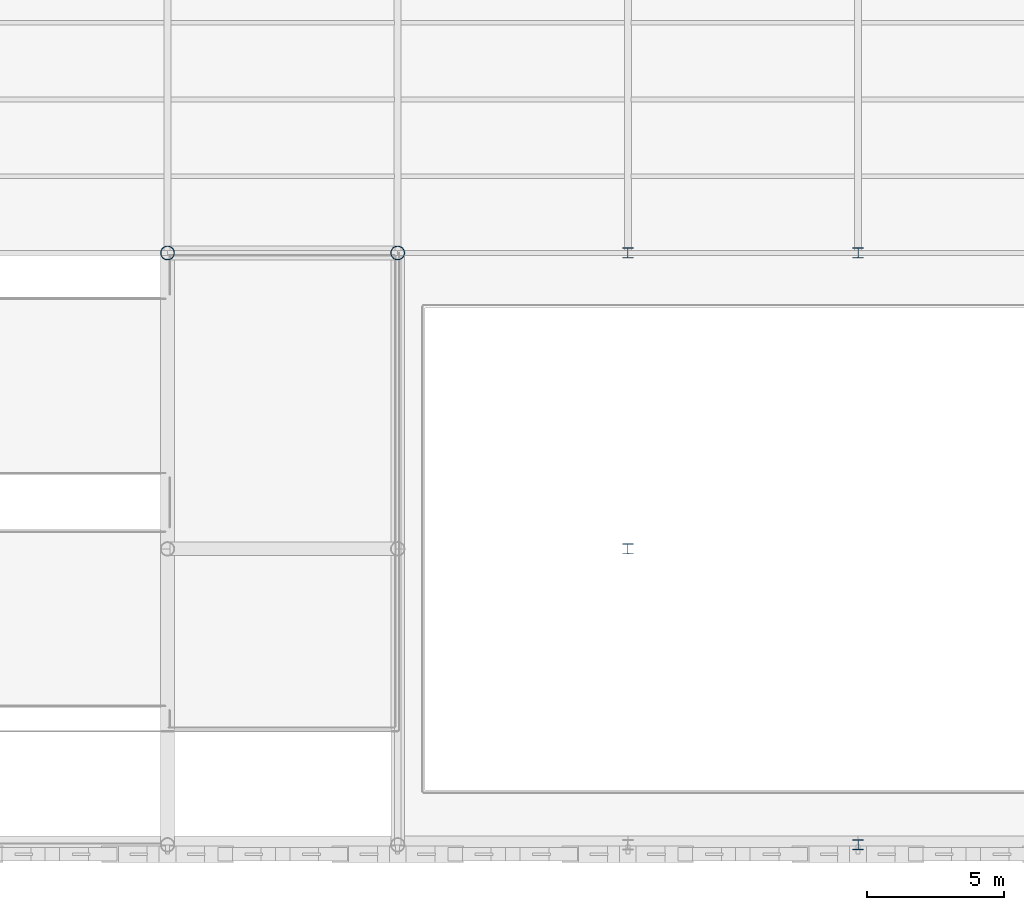
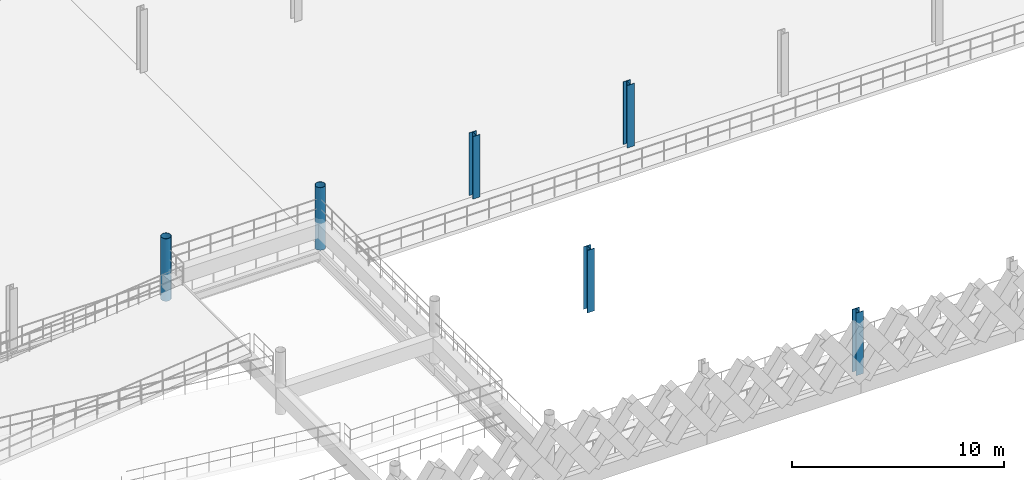
# One storey, part 2 of 79: 6 columns.
"""IFC4 building model written with IfcOpenShell, lengths in metres."""

from ifc_helpers import new_model, si_unit, direction, frame, origin, origin_2d, place, context, subcontext, project, spatial, hollow_circle, i_section, extrude, material, material_profile, profile_set, type_object, element, save


model = new_model("IFC4")

# Units and contexts
model_context = context("Model", 3, precision=1e-05, world=origin(), true_north=direction((0.0, 1.0)))
body_context = subcontext(model_context, "Body", "Model", "MODEL_VIEW")
ifc_project = project(units=[si_unit("LENGTHUNIT", "METRE"), si_unit("AREAUNIT", "SQUARE_METRE"), si_unit("VOLUMEUNIT", "CUBIC_METRE"), si_unit("PLANEANGLEUNIT", "RADIAN"), si_unit("MASSUNIT", "GRAM", prefix="KILO"), si_unit("THERMODYNAMICTEMPERATUREUNIT", "KELVIN"), si_unit("POWERUNIT", "WATT")], contexts=[model_context])

# Site, building, storey
site_placement = place(None, origin())
site = spatial("IfcSite", under=ifc_project, at=site_placement, CompositionType="ELEMENT")
building_placement = place(site_placement, origin())
building = spatial("IfcBuilding", under=site, at=building_placement, Name="Tembeka Court Mobility Hub", CompositionType="ELEMENT")
storey_placement = place(building_placement, frame((0.0, 0.0, 9.0)))
storey = spatial("IfcBuildingStorey", under=building, at=storey_placement, Name="L02", CompositionType="ELEMENT", Elevation=9.0)

# Columns
ifc_material = material(Name="Steel S355", Category="steel")
ifc_material_profile_1 = material_profile(ifc_material, i_section(OverallWidth=0.39501953125, OverallDepth=0.381103515625, WebThickness=0.018310546875, FlangeThickness=0.0302734375, FilletRadius=0.01513671875, at=origin_2d()), Name="UKC 356x406x235")
ifc_profile_set_1 = profile_set([ifc_material_profile_1], Name="Steel S355")
column_type_1 = type_object("IfcColumnType", Name="COL-C02", PredefinedType="COLUMN", material=ifc_profile_set_1)
for number, where, z_axis, x_axis, name in (
    (1, (50.39990234375, 10.800048828125, 0.0), (0.0, 0.0, 1.0), (1.0, 0.0, 0.0), "Column C02 (L02-072)"),
    (2, (50.39990234375, 21.60009765625, 0.0), (0.0, 0.0, 1.0), (1.0, 0.0, 0.0), "Column C02 (L02-073)"),
    (3, (58.800048828125, 0.0, 0.0), (0.0, 0.0, 1.0), (1.0, 0.0, 0.0), "Column C02 (L02-083)"),
    (4, (58.800048828125, 21.60009765625, 0.0), (0.0, 0.0, 1.0), (1.0, 0.0, 0.0), "Column C02 (L02-084)"),
):
    element("IfcColumn", number, at=place(storey_placement, frame(where, z_axis=z_axis, x_axis=x_axis)), inside=storey, type_object=column_type_1, Name=name, PredefinedType="COLUMN", context=body_context, shape_type="SweptSolid", body=[
        extrude(i_section(OverallWidth=0.39501953125, OverallDepth=0.381103515625, WebThickness=0.018310546875, FlangeThickness=0.0302734375, FilletRadius=0.01513671875, at=origin_2d()), origin(), (0.0, 0.0, 1.0), 3.60009765625),
    ])
ifc_material_profile_2 = material_profile(ifc_material, hollow_circle(Radius=0.25390625, WallThickness=0.01611328125, at=origin_2d()), Name="CHS 508x16")
ifc_profile_set_2 = profile_set([ifc_material_profile_2], Name="Steel S355")
column_type_2 = type_object("IfcColumnType", Name="COL-C08", PredefinedType="COLUMN", material=ifc_profile_set_2)
for number, where, z_axis, x_axis, name in (
    (5, (33.60009765625, 21.60009765625, 0.0), (0.0, 0.0, 1.0), (1.0, 0.0, 0.0), "Column C08 (L02-049)"),
    (6, (42.0, 21.60009765625, 0.0), (0.0, 0.0, 1.0), (1.0, 0.0, 0.0), "Column C08 (L02-061)"),
):
    element("IfcColumn", number, at=place(storey_placement, frame(where, z_axis=z_axis, x_axis=x_axis)), inside=storey, type_object=column_type_2, Name=name, PredefinedType="COLUMN", context=body_context, shape_type="SweptSolid", body=[
        extrude(hollow_circle(Radius=0.25390625, WallThickness=0.01611328125, at=origin_2d()), origin(), (0.0, 0.0, 1.0), 3.60009765625),
    ])

save(model, "model.ifc")
